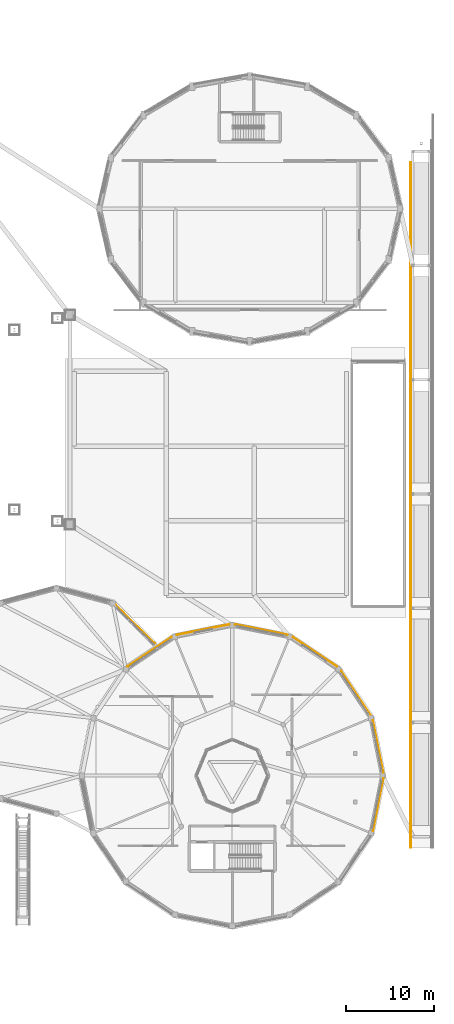
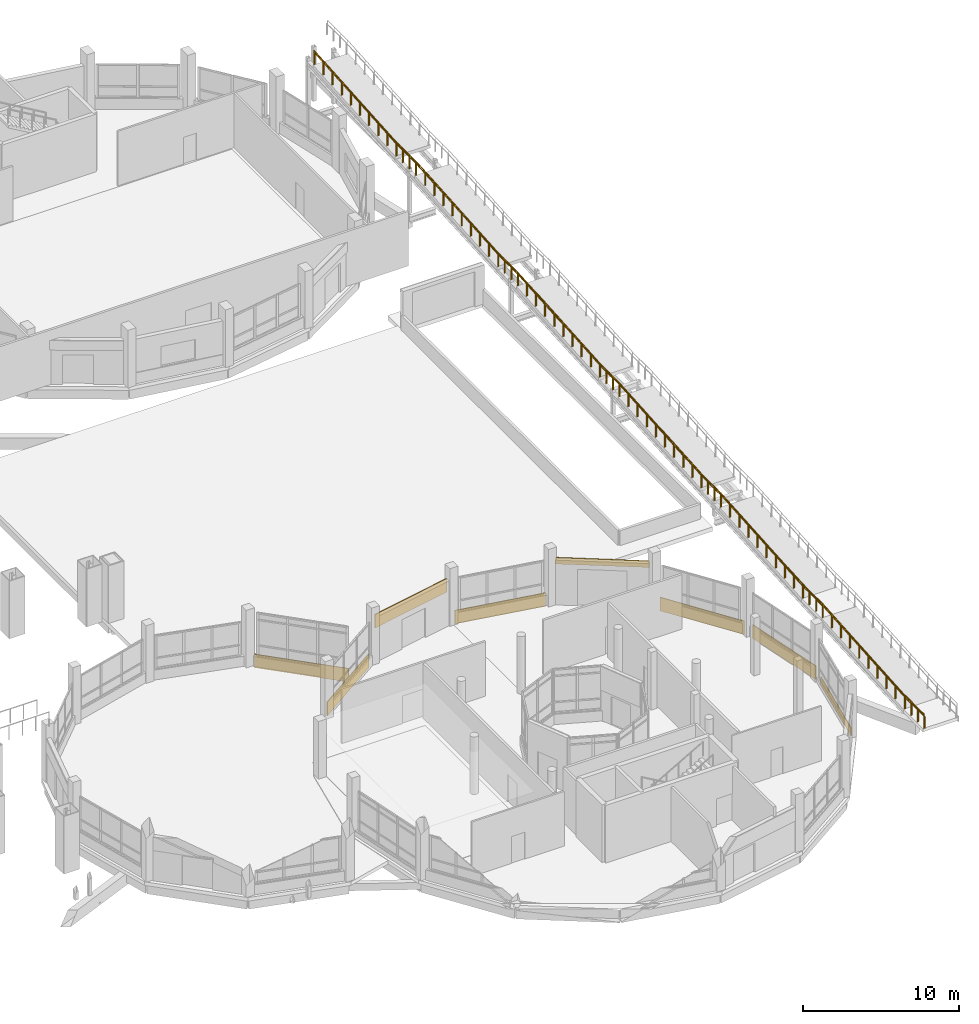
# One storey, part 127 of 129: 8 coverings, 2 railings.
"""IFC4 building model written with IfcOpenShell, lengths in metres."""

from ifc_helpers import new_model, si_unit, direction, frame, frame_2d, origin, origin_2d, place, context, subcontext, project, spatial, rectangle, circle, extrude, material, layer, layer_set, type_object, element, save


model = new_model("IFC4")

# Units and contexts
model_context = context("Model", 3, precision=1e-05, world=origin(), true_north=direction((0.0, 1.0)))
body_context = subcontext(model_context, "Body", "Model", "MODEL_VIEW")
ifc_project = project(units=[si_unit("LENGTHUNIT", "METRE"), si_unit("AREAUNIT", "SQUARE_METRE"), si_unit("VOLUMEUNIT", "CUBIC_METRE"), si_unit("PLANEANGLEUNIT", "RADIAN"), si_unit("MASSUNIT", "GRAM", prefix="KILO")], contexts=[model_context])

# Site, building, storey
site_placement = place(None, origin())
site = spatial("IfcSite", under=ifc_project, at=site_placement, CompositionType="ELEMENT")
building_placement = place(site_placement, origin())
building = spatial("IfcBuilding", under=site, at=building_placement, Name="Vespera Passage Community Centre", CompositionType="ELEMENT")
storey_placement = place(building_placement, origin())
storey = spatial("IfcBuildingStorey", under=building, at=storey_placement, Name="L00", CompositionType="ELEMENT", Elevation=0.0)

# Coverings
ifc_material_1 = material(Name="Precast concrete f'c 40 MPa", Category="concrete")
ifc_layer = layer(ifc_material_1, 0.06005859375)
ifc_layer_set = layer_set([ifc_layer], Name="Precast concrete f'c 40 MPa")
covering_type = type_object("IfcCoveringType", Name="COV-CLAD-60E", PredefinedType="CLADDING", material=ifc_layer_set)
covering_1_placement = place(storey_placement, frame((157.019775390625, 31.301513671875, -0.260009765625), z_axis=(0.0, 0.0, 1.0), x_axis=(0.195101780047, -0.98078300119, 0.0)))
element("IfcCovering", 1, at=covering_1_placement, inside=storey, type_object=covering_type, Name="V3 L00 White Spandrel Band 1", PredefinedType="CLADDING", context=body_context, shape_type="SweptSolid", body=[
    extrude(rectangle(XDim=6.1103515625, YDim=0.06005859375, at=frame_2d((3.05517578125, 0.0))), origin(), (0.0, 0.0, 1.0), 1.06005859375),
])
covering_2_placement = place(storey_placement, frame((153.41943359375, 36.90673828125, -0.260009765625), z_axis=(0.0, 0.0, 1.0), x_axis=(0.555573083966, -0.831467707354, 0.0)))
element("IfcCovering", 2, at=covering_2_placement, inside=storey, type_object=covering_type, Name="V3 L00 White Spandrel Band 2", PredefinedType="CLADDING", context=body_context, shape_type="SweptSolid", body=[
    extrude(rectangle(XDim=6.00048828125, YDim=0.06005859375, at=frame_2d((3.000244140625, 0.0))), origin(), (0.0, 0.0, 1.0), 1.06005859375),
])
covering_3_placement = place(storey_placement, frame((147.91748046875, 40.753173828125, 3.0), z_axis=(0.0, 0.0, 1.0), x_axis=(0.831467707354, -0.555573083966, 0.0)))
element("IfcCovering", 3, at=covering_3_placement, inside=storey, type_object=covering_type, Name="V3 Loading White Fascia", PredefinedType="CLADDING", context=body_context, shape_type="SweptSolid", body=[
    extrude(rectangle(XDim=6.00048828125, YDim=0.06005859375, at=frame_2d((3.000244140625, 0.0))), origin(), (0.0, 0.0, 1.0), 0.4951171875),
])
covering_4_placement = place(storey_placement, frame((141.30859375, 42.2119140625, -0.260009765625), z_axis=(0.0, 0.0, 1.0), x_axis=(0.98078300119, -0.195101780047, 0.0)))
element("IfcCovering", 4, at=covering_4_placement, inside=storey, type_object=covering_type, Name="V3 L00 White Spandrel Band 4", PredefinedType="CLADDING", context=body_context, shape_type="SweptSolid", body=[
    extrude(rectangle(XDim=6.1103515625, YDim=0.06005859375, at=frame_2d((3.05517578125, 0.0))), origin(), (0.0, 0.0, 1.0), 1.06005859375),
])
covering_5_placement = place(storey_placement, frame((134.698486328125, 41.019775390625, 2.449951171875), z_axis=(0.0, 0.0, 1.0), x_axis=(0.98078300119, 0.195101780047, 0.0)))
element("IfcCovering", 5, at=covering_5_placement, inside=storey, type_object=covering_type, Name="V3 L00 Exit White Band 5", PredefinedType="CLADDING", context=body_context, shape_type="SweptSolid", body=[
    extrude(rectangle(XDim=6.1103515625, YDim=0.06005859375, at=frame_2d((3.05517578125, 0.0))), origin(), (0.0, 0.0, 1.0), 1.045166015625),
])
covering_6_placement = place(storey_placement, frame((129.09326171875, 37.41943359375, -0.260009765625), z_axis=(0.0, 0.0, 1.0), x_axis=(0.831467707354, 0.555573083966, 0.0)))
element("IfcCovering", 6, at=covering_6_placement, inside=storey, type_object=covering_type, Name="V3 L00 White Spandrel Band 6", PredefinedType="CLADDING", context=body_context, shape_type="SweptSolid", body=[
    extrude(rectangle(XDim=6.00048828125, YDim=0.06005859375, at=frame_2d((3.000244140625, 0.0))), origin(), (0.0, 0.0, 1.0), 1.06005859375),
])
covering_7_placement = place(storey_placement, frame((158.2119140625, 24.69140625, -0.260009765625), z_axis=(0.0, 0.0, 1.0), x_axis=(-0.195101780047, -0.98078300119, 0.0)))
element("IfcCovering", 7, at=covering_7_placement, inside=storey, type_object=covering_type, Name="V3 L00 White Spandrel Band 16", PredefinedType="CLADDING", context=body_context, shape_type="SweptSolid", body=[
    extrude(rectangle(XDim=6.1103515625, YDim=0.06005859375, at=frame_2d((3.05517578125, 0.0))), origin(), (0.0, 0.0, 1.0), 0.610107421875),
])
covering_8_placement = place(storey_placement, frame((127.802490234375, 44.423095703125, -0.280029296875), z_axis=(0.0, 0.0, 1.0), x_axis=(0.707106781187, -0.707106781187, 0.0)))
element("IfcCovering", 8, at=covering_8_placement, inside=storey, type_object=covering_type, Name="V3A L00 Cafe White Spandrel Band 2", PredefinedType="CLADDING", context=body_context, shape_type="SweptSolid", body=[
    extrude(rectangle(XDim=6.2265625, YDim=0.06005859375, at=frame_2d((3.11328125, 0.0))), origin(), (0.0, 0.0, 1.0), 1.06005859375),
])

# Railings
ifc_material_2 = material(Name="Steel ASTM A500 Grade C", Category="steel")
railing_type_1 = type_object("IfcRailingType", Name="RL-EXT-1100E", PredefinedType="GUARDRAIL", material=ifc_material_2)
railing_1_placement = place(storey_placement, frame((161.280029296875, 16.800048828125, 0.0)))
element("IfcRailing", 9, at=railing_1_placement, inside=storey, type_object=railing_type_1, Name="Ramped Garden Bridge W Guard", PredefinedType="GUARDRAIL", context=body_context, shape_type="SweptSolid", body=[
    extrude(circle(Radius=0.02392578125, at=origin_2d()), frame((0.0, 0.0, 1.09619140625), z_axis=(0.0, 1.0, 0.0), x_axis=(-1.0, 0.0, 0.0)), (0.0, 0.0, 1.0), 2.5),
    extrude(circle(Radius=0.02392578125, at=origin_2d()), frame((0.0, 2.5, 1.09619140625), z_axis=(0.0, 0.997458699831, 0.071247049988), x_axis=(-1.0, 0.0, 0.0)), (0.0, 0.0, 1.0), 10.52685546875),
    extrude(circle(Radius=0.02392578125, at=origin_2d()), frame((0.0, 13.0, 1.84619140625), z_axis=(0.0, 1.0, 0.0), x_axis=(-1.0, 0.0, 0.0)), (0.0, 0.0, 1.0), 2.5),
    extrude(circle(Radius=0.02392578125, at=origin_2d()), frame((0.0, 15.5, 1.84619140625), z_axis=(0.0, 0.997458699831, 0.071247049988), x_axis=(-1.0, 0.0, 0.0)), (0.0, 0.0, 1.0), 10.52685546875),
    extrude(circle(Radius=0.02392578125, at=origin_2d()), frame((0.0, 26.0, 2.59619140625), z_axis=(0.0, 1.0, 0.0), x_axis=(-1.0, 0.0, 0.0)), (0.0, 0.0, 1.0), 2.5),
    extrude(circle(Radius=0.02392578125, at=origin_2d()), frame((0.0, 28.5, 2.59619140625), z_axis=(0.0, 0.997458699831, 0.071247049988), x_axis=(-1.0, 0.0, 0.0)), (0.0, 0.0, 1.0), 10.52685546875),
    extrude(circle(Radius=0.02392578125, at=origin_2d()), frame((0.0, 39.0, 3.34619140625), z_axis=(0.0, 1.0, 0.0), x_axis=(-1.0, 0.0, 0.0)), (0.0, 0.0, 1.0), 2.5),
    extrude(circle(Radius=0.02392578125, at=origin_2d()), frame((0.0, 41.5, 3.34619140625), z_axis=(0.0, 0.997458699831, 0.071247049988), x_axis=(-1.0, 0.0, 0.0)), (0.0, 0.0, 1.0), 10.52685546875),
    extrude(circle(Radius=0.02392578125, at=origin_2d()), frame((0.0, 52.0, 4.09619140625), z_axis=(0.0, 1.0, 0.0), x_axis=(-1.0, 0.0, 0.0)), (0.0, 0.0, 1.0), 2.5),
    extrude(circle(Radius=0.02392578125, at=origin_2d()), frame((0.0, 54.5, 4.09619140625), z_axis=(0.0, 0.997458699831, 0.071247049988), x_axis=(-1.0, 0.0, 0.0)), (0.0, 0.0, 1.0), 10.52685546875),
    extrude(circle(Radius=0.02392578125, at=origin_2d()), frame((0.0, 65.0, 4.84619140625), z_axis=(0.0, 1.0, 0.0), x_axis=(-1.0, 0.0, 0.0)), (0.0, 0.0, 1.0), 2.5),
    extrude(circle(Radius=0.02392578125, at=origin_2d()), frame((0.0, 67.5, 4.84619140625), z_axis=(0.0, 0.997458699831, 0.071247049988), x_axis=(-1.0, 0.0, 0.0)), (0.0, 0.0, 1.0), 10.52685546875),
    extrude(circle(Radius=0.02099609375, at=origin_2d()), origin(), (0.0, 0.0, 1.0), 1.072021484375),
    extrude(circle(Radius=0.02099609375, at=origin_2d()), frame((0.0, 0.833251953125, 0.0)), (0.0, 0.0, 1.0), 1.072021484375),
    extrude(circle(Radius=0.02099609375, at=origin_2d()), frame((0.0, 1.666748046875, 0.0)), (0.0, 0.0, 1.0), 1.072021484375),
    extrude(circle(Radius=0.02099609375, at=origin_2d()), frame((0.0, 2.5, 0.0)), (0.0, 0.0, 1.0), 1.072021484375),
    extrude(circle(Radius=0.02099609375, at=origin_2d()), frame((0.0, 3.666748046875, 0.083251953125)), (0.0, 0.0, 1.0), 1.072021484375),
    extrude(circle(Radius=0.02099609375, at=origin_2d()), frame((0.0, 4.833251953125, 0.166748046875)), (0.0, 0.0, 1.0), 1.072021484375),
    extrude(circle(Radius=0.02099609375, at=origin_2d()), frame((0.0, 6.0, 0.25)), (0.0, 0.0, 1.0), 1.072021484375),
    extrude(circle(Radius=0.02099609375, at=origin_2d()), frame((0.0, 7.166748046875, 0.333251953125)), (0.0, 0.0, 1.0), 1.072021484375),
    extrude(circle(Radius=0.02099609375, at=origin_2d()), frame((0.0, 8.333251953125, 0.416748046875)), (0.0, 0.0, 1.0), 1.072021484375),
    extrude(circle(Radius=0.02099609375, at=origin_2d()), frame((0.0, 9.5, 0.5)), (0.0, 0.0, 1.0), 1.072021484375),
    extrude(circle(Radius=0.02099609375, at=origin_2d()), frame((0.0, 10.666748046875, 0.583251953125)), (0.0, 0.0, 1.0), 1.072021484375),
    extrude(circle(Radius=0.02099609375, at=origin_2d()), frame((0.0, 11.833251953125, 0.666748046875)), (0.0, 0.0, 1.0), 1.072021484375),
    extrude(circle(Radius=0.02099609375, at=origin_2d()), frame((0.0, 13.0, 0.75)), (0.0, 0.0, 1.0), 1.072021484375),
    extrude(circle(Radius=0.02099609375, at=origin_2d()), frame((0.0, 13.833251953125, 0.75)), (0.0, 0.0, 1.0), 1.072021484375),
    extrude(circle(Radius=0.02099609375, at=origin_2d()), frame((0.0, 14.666748046875, 0.75)), (0.0, 0.0, 1.0), 1.072021484375),
    extrude(circle(Radius=0.02099609375, at=origin_2d()), frame((0.0, 15.5, 0.75)), (0.0, 0.0, 1.0), 1.072021484375),
    extrude(circle(Radius=0.02099609375, at=origin_2d()), frame((0.0, 16.666748046875, 0.833251953125)), (0.0, 0.0, 1.0), 1.072021484375),
    extrude(circle(Radius=0.02099609375, at=origin_2d()), frame((0.0, 17.833251953125, 0.916748046875)), (0.0, 0.0, 1.0), 1.072021484375),
    extrude(circle(Radius=0.02099609375, at=origin_2d()), frame((0.0, 19.0, 1.0)), (0.0, 0.0, 1.0), 1.072021484375),
    extrude(circle(Radius=0.02099609375, at=origin_2d()), frame((0.0, 20.166748046875, 1.083251953125)), (0.0, 0.0, 1.0), 1.072021484375),
    extrude(circle(Radius=0.02099609375, at=origin_2d()), frame((0.0, 21.333251953125, 1.166748046875)), (0.0, 0.0, 1.0), 1.072021484375),
    extrude(circle(Radius=0.02099609375, at=origin_2d()), frame((0.0, 22.5, 1.25)), (0.0, 0.0, 1.0), 1.072021484375),
    extrude(circle(Radius=0.02099609375, at=origin_2d()), frame((0.0, 23.666748046875, 1.333251953125)), (0.0, 0.0, 1.0), 1.072021484375),
    extrude(circle(Radius=0.02099609375, at=origin_2d()), frame((0.0, 24.833251953125, 1.416748046875)), (0.0, 0.0, 1.0), 1.072021484375),
    extrude(circle(Radius=0.02099609375, at=origin_2d()), frame((0.0, 26.0, 1.5)), (0.0, 0.0, 1.0), 1.072021484375),
    extrude(circle(Radius=0.02099609375, at=origin_2d()), frame((0.0, 26.833251953125, 1.5)), (0.0, 0.0, 1.0), 1.072021484375),
    extrude(circle(Radius=0.02099609375, at=origin_2d()), frame((0.0, 27.666748046875, 1.5)), (0.0, 0.0, 1.0), 1.072021484375),
    extrude(circle(Radius=0.02099609375, at=origin_2d()), frame((0.0, 28.5, 1.5)), (0.0, 0.0, 1.0), 1.072021484375),
    extrude(circle(Radius=0.02099609375, at=origin_2d()), frame((0.0, 29.666748046875, 1.583251953125)), (0.0, 0.0, 1.0), 1.072021484375),
    extrude(circle(Radius=0.02099609375, at=origin_2d()), frame((0.0, 30.833251953125, 1.666748046875)), (0.0, 0.0, 1.0), 1.072021484375),
    extrude(circle(Radius=0.02099609375, at=origin_2d()), frame((0.0, 32.0, 1.75)), (0.0, 0.0, 1.0), 1.072021484375),
    extrude(circle(Radius=0.02099609375, at=origin_2d()), frame((0.0, 33.166748046875, 1.833251953125)), (0.0, 0.0, 1.0), 1.072021484375),
    extrude(circle(Radius=0.02099609375, at=origin_2d()), frame((0.0, 34.333251953125, 1.916748046875)), (0.0, 0.0, 1.0), 1.072021484375),
    extrude(circle(Radius=0.02099609375, at=origin_2d()), frame((0.0, 35.5, 2.0)), (0.0, 0.0, 1.0), 1.072021484375),
    extrude(circle(Radius=0.02099609375, at=origin_2d()), frame((0.0, 36.666748046875, 2.083251953125)), (0.0, 0.0, 1.0), 1.072021484375),
    extrude(circle(Radius=0.02099609375, at=origin_2d()), frame((0.0, 37.833251953125, 2.166748046875)), (0.0, 0.0, 1.0), 1.072021484375),
    extrude(circle(Radius=0.02099609375, at=origin_2d()), frame((0.0, 39.0, 2.25)), (0.0, 0.0, 1.0), 1.072021484375),
    extrude(circle(Radius=0.02099609375, at=origin_2d()), frame((0.0, 39.833251953125, 2.25)), (0.0, 0.0, 1.0), 1.072021484375),
    extrude(circle(Radius=0.02099609375, at=origin_2d()), frame((0.0, 40.666748046875, 2.25)), (0.0, 0.0, 1.0), 1.072021484375),
    extrude(circle(Radius=0.02099609375, at=origin_2d()), frame((0.0, 41.5, 2.25)), (0.0, 0.0, 1.0), 1.072021484375),
    extrude(circle(Radius=0.02099609375, at=origin_2d()), frame((0.0, 42.666748046875, 2.333251953125)), (0.0, 0.0, 1.0), 1.072021484375),
    extrude(circle(Radius=0.02099609375, at=origin_2d()), frame((0.0, 43.833251953125, 2.416748046875)), (0.0, 0.0, 1.0), 1.072021484375),
    extrude(circle(Radius=0.02099609375, at=origin_2d()), frame((0.0, 45.0, 2.5)), (0.0, 0.0, 1.0), 1.072021484375),
    extrude(circle(Radius=0.02099609375, at=origin_2d()), frame((0.0, 46.166748046875, 2.583251953125)), (0.0, 0.0, 1.0), 1.072021484375),
    extrude(circle(Radius=0.02099609375, at=origin_2d()), frame((0.0, 47.333251953125, 2.666748046875)), (0.0, 0.0, 1.0), 1.072021484375),
    extrude(circle(Radius=0.02099609375, at=origin_2d()), frame((0.0, 48.5, 2.75)), (0.0, 0.0, 1.0), 1.072021484375),
    extrude(circle(Radius=0.02099609375, at=origin_2d()), frame((0.0, 49.666748046875, 2.833251953125)), (0.0, 0.0, 1.0), 1.072021484375),
    extrude(circle(Radius=0.02099609375, at=origin_2d()), frame((0.0, 50.833251953125, 2.916748046875)), (0.0, 0.0, 1.0), 1.072021484375),
    extrude(circle(Radius=0.02099609375, at=origin_2d()), frame((0.0, 52.0, 3.0)), (0.0, 0.0, 1.0), 1.072021484375),
    extrude(circle(Radius=0.02099609375, at=origin_2d()), frame((0.0, 52.833251953125, 3.0)), (0.0, 0.0, 1.0), 1.072021484375),
    extrude(circle(Radius=0.02099609375, at=origin_2d()), frame((0.0, 53.666748046875, 3.0)), (0.0, 0.0, 1.0), 1.072021484375),
    extrude(circle(Radius=0.02099609375, at=origin_2d()), frame((0.0, 54.5, 3.0)), (0.0, 0.0, 1.0), 1.072021484375),
    extrude(circle(Radius=0.02099609375, at=origin_2d()), frame((0.0, 55.666748046875, 3.083251953125)), (0.0, 0.0, 1.0), 1.072021484375),
    extrude(circle(Radius=0.02099609375, at=origin_2d()), frame((0.0, 56.833251953125, 3.166748046875)), (0.0, 0.0, 1.0), 1.072021484375),
    extrude(circle(Radius=0.02099609375, at=origin_2d()), frame((0.0, 58.0, 3.25)), (0.0, 0.0, 1.0), 1.072021484375),
    extrude(circle(Radius=0.02099609375, at=origin_2d()), frame((0.0, 59.166748046875, 3.333251953125)), (0.0, 0.0, 1.0), 1.072021484375),
    extrude(circle(Radius=0.02099609375, at=origin_2d()), frame((0.0, 60.333251953125, 3.416748046875)), (0.0, 0.0, 1.0), 1.072021484375),
    extrude(circle(Radius=0.02099609375, at=origin_2d()), frame((0.0, 61.5, 3.5)), (0.0, 0.0, 1.0), 1.072021484375),
    extrude(circle(Radius=0.02099609375, at=origin_2d()), frame((0.0, 62.666748046875, 3.583251953125)), (0.0, 0.0, 1.0), 1.072021484375),
    extrude(circle(Radius=0.02099609375, at=origin_2d()), frame((0.0, 63.833251953125, 3.666748046875)), (0.0, 0.0, 1.0), 1.072021484375),
    extrude(circle(Radius=0.02099609375, at=origin_2d()), frame((0.0, 65.0, 3.75)), (0.0, 0.0, 1.0), 1.072021484375),
    extrude(circle(Radius=0.02099609375, at=origin_2d()), frame((0.0, 65.833251953125, 3.75)), (0.0, 0.0, 1.0), 1.072021484375),
    extrude(circle(Radius=0.02099609375, at=origin_2d()), frame((0.0, 66.666748046875, 3.75)), (0.0, 0.0, 1.0), 1.072021484375),
    extrude(circle(Radius=0.02099609375, at=origin_2d()), frame((0.0, 67.5, 3.75)), (0.0, 0.0, 1.0), 1.072021484375),
    extrude(circle(Radius=0.02099609375, at=origin_2d()), frame((0.0, 68.666748046875, 3.833251953125)), (0.0, 0.0, 1.0), 1.072021484375),
    extrude(circle(Radius=0.02099609375, at=origin_2d()), frame((0.0, 69.833251953125, 3.916748046875)), (0.0, 0.0, 1.0), 1.072021484375),
    extrude(circle(Radius=0.02099609375, at=origin_2d()), frame((0.0, 71.0, 4.0)), (0.0, 0.0, 1.0), 1.072021484375),
    extrude(circle(Radius=0.02099609375, at=origin_2d()), frame((0.0, 72.166748046875, 4.083251953125)), (0.0, 0.0, 1.0), 1.072021484375),
    extrude(circle(Radius=0.02099609375, at=origin_2d()), frame((0.0, 73.333251953125, 4.166748046875)), (0.0, 0.0, 1.0), 1.072021484375),
    extrude(circle(Radius=0.02099609375, at=origin_2d()), frame((0.0, 74.5, 4.25)), (0.0, 0.0, 1.0), 1.072021484375),
    extrude(circle(Radius=0.02099609375, at=origin_2d()), frame((0.0, 75.666748046875, 4.333251953125)), (0.0, 0.0, 1.0), 1.072021484375),
    extrude(circle(Radius=0.02099609375, at=origin_2d()), frame((0.0, 76.833251953125, 4.416748046875)), (0.0, 0.0, 1.0), 1.072021484375),
    extrude(circle(Radius=0.02099609375, at=origin_2d()), frame((0.0, 78.0, 4.5)), (0.0, 0.0, 1.0), 1.072021484375),
])
ifc_material_3 = material(Name="Steel ASTM A500 Grade C", Category="steel")
railing_type_2 = type_object("IfcRailingType", Name="RL-HR-900E", PredefinedType="HANDRAIL", material=ifc_material_3)
railing_2_placement = place(storey_placement, frame((161.340087890625, 16.800048828125, 0.0)))
element("IfcRailing", 10, at=railing_2_placement, inside=storey, type_object=railing_type_2, Name="Ramped Garden Bridge W Handrail", PredefinedType="HANDRAIL", context=body_context, shape_type="SweptSolid", body=[
    extrude(circle(Radius=0.02392578125, at=origin_2d()), frame((0.0, 0.0, 0.8759765625), z_axis=(0.0, 1.0, 0.0), x_axis=(-1.0, 0.0, 0.0)), (0.0, 0.0, 1.0), 2.5),
    extrude(circle(Radius=0.02392578125, at=origin_2d()), frame((0.0, 2.5, 0.8759765625), z_axis=(0.0, 0.997458699831, 0.071247049988), x_axis=(-1.0, 0.0, 0.0)), (0.0, 0.0, 1.0), 10.52685546875),
    extrude(circle(Radius=0.02392578125, at=origin_2d()), frame((0.0, 13.0, 1.6259765625), z_axis=(0.0, 1.0, 0.0), x_axis=(-1.0, 0.0, 0.0)), (0.0, 0.0, 1.0), 2.5),
    extrude(circle(Radius=0.02392578125, at=origin_2d()), frame((0.0, 15.5, 1.6259765625), z_axis=(0.0, 0.997458699831, 0.071247049988), x_axis=(-1.0, 0.0, 0.0)), (0.0, 0.0, 1.0), 10.52685546875),
    extrude(circle(Radius=0.02392578125, at=origin_2d()), frame((0.0, 26.0, 2.3759765625), z_axis=(0.0, 1.0, 0.0), x_axis=(-1.0, 0.0, 0.0)), (0.0, 0.0, 1.0), 2.5),
    extrude(circle(Radius=0.02392578125, at=origin_2d()), frame((0.0, 28.5, 2.3759765625), z_axis=(0.0, 0.997458699831, 0.071247049988), x_axis=(-1.0, 0.0, 0.0)), (0.0, 0.0, 1.0), 10.52685546875),
    extrude(circle(Radius=0.02392578125, at=origin_2d()), frame((0.0, 39.0, 3.1259765625), z_axis=(0.0, 1.0, 0.0), x_axis=(-1.0, 0.0, 0.0)), (0.0, 0.0, 1.0), 2.5),
    extrude(circle(Radius=0.02392578125, at=origin_2d()), frame((0.0, 41.5, 3.1259765625), z_axis=(0.0, 0.997458699831, 0.071247049988), x_axis=(-1.0, 0.0, 0.0)), (0.0, 0.0, 1.0), 10.52685546875),
    extrude(circle(Radius=0.02392578125, at=origin_2d()), frame((0.0, 52.0, 3.8759765625), z_axis=(0.0, 1.0, 0.0), x_axis=(-1.0, 0.0, 0.0)), (0.0, 0.0, 1.0), 2.5),
    extrude(circle(Radius=0.02392578125, at=origin_2d()), frame((0.0, 54.5, 3.8759765625), z_axis=(0.0, 0.997458699831, 0.071247049988), x_axis=(-1.0, 0.0, 0.0)), (0.0, 0.0, 1.0), 10.52685546875),
    extrude(circle(Radius=0.02392578125, at=origin_2d()), frame((0.0, 65.0, 4.6259765625), z_axis=(0.0, 1.0, 0.0), x_axis=(-1.0, 0.0, 0.0)), (0.0, 0.0, 1.0), 2.5),
    extrude(circle(Radius=0.02392578125, at=origin_2d()), frame((0.0, 67.5, 4.6259765625), z_axis=(0.0, 0.997458699831, 0.071247049988), x_axis=(-1.0, 0.0, 0.0)), (0.0, 0.0, 1.0), 10.52685546875),
    extrude(circle(Radius=0.02099609375, at=origin_2d()), origin(), (0.0, 0.0, 1.0), 0.851806640625),
    extrude(circle(Radius=0.02099609375, at=origin_2d()), frame((0.0, 0.833251953125, 0.0)), (0.0, 0.0, 1.0), 0.851806640625),
    extrude(circle(Radius=0.02099609375, at=origin_2d()), frame((0.0, 1.666748046875, 0.0)), (0.0, 0.0, 1.0), 0.851806640625),
    extrude(circle(Radius=0.02099609375, at=origin_2d()), frame((0.0, 2.5, 0.0)), (0.0, 0.0, 1.0), 0.851806640625),
    extrude(circle(Radius=0.02099609375, at=origin_2d()), frame((0.0, 3.666748046875, 0.083251953125)), (0.0, 0.0, 1.0), 0.851806640625),
    extrude(circle(Radius=0.02099609375, at=origin_2d()), frame((0.0, 4.833251953125, 0.166748046875)), (0.0, 0.0, 1.0), 0.851806640625),
    extrude(circle(Radius=0.02099609375, at=origin_2d()), frame((0.0, 6.0, 0.25)), (0.0, 0.0, 1.0), 0.851806640625),
    extrude(circle(Radius=0.02099609375, at=origin_2d()), frame((0.0, 7.166748046875, 0.333251953125)), (0.0, 0.0, 1.0), 0.851806640625),
    extrude(circle(Radius=0.02099609375, at=origin_2d()), frame((0.0, 8.333251953125, 0.416748046875)), (0.0, 0.0, 1.0), 0.851806640625),
    extrude(circle(Radius=0.02099609375, at=origin_2d()), frame((0.0, 9.5, 0.5)), (0.0, 0.0, 1.0), 0.851806640625),
    extrude(circle(Radius=0.02099609375, at=origin_2d()), frame((0.0, 10.666748046875, 0.583251953125)), (0.0, 0.0, 1.0), 0.851806640625),
    extrude(circle(Radius=0.02099609375, at=origin_2d()), frame((0.0, 11.833251953125, 0.666748046875)), (0.0, 0.0, 1.0), 0.851806640625),
    extrude(circle(Radius=0.02099609375, at=origin_2d()), frame((0.0, 13.0, 0.75)), (0.0, 0.0, 1.0), 0.851806640625),
    extrude(circle(Radius=0.02099609375, at=origin_2d()), frame((0.0, 13.833251953125, 0.75)), (0.0, 0.0, 1.0), 0.851806640625),
    extrude(circle(Radius=0.02099609375, at=origin_2d()), frame((0.0, 14.666748046875, 0.75)), (0.0, 0.0, 1.0), 0.851806640625),
    extrude(circle(Radius=0.02099609375, at=origin_2d()), frame((0.0, 15.5, 0.75)), (0.0, 0.0, 1.0), 0.851806640625),
    extrude(circle(Radius=0.02099609375, at=origin_2d()), frame((0.0, 16.666748046875, 0.833251953125)), (0.0, 0.0, 1.0), 0.851806640625),
    extrude(circle(Radius=0.02099609375, at=origin_2d()), frame((0.0, 17.833251953125, 0.916748046875)), (0.0, 0.0, 1.0), 0.851806640625),
    extrude(circle(Radius=0.02099609375, at=origin_2d()), frame((0.0, 19.0, 1.0)), (0.0, 0.0, 1.0), 0.851806640625),
    extrude(circle(Radius=0.02099609375, at=origin_2d()), frame((0.0, 20.166748046875, 1.083251953125)), (0.0, 0.0, 1.0), 0.851806640625),
    extrude(circle(Radius=0.02099609375, at=origin_2d()), frame((0.0, 21.333251953125, 1.166748046875)), (0.0, 0.0, 1.0), 0.851806640625),
    extrude(circle(Radius=0.02099609375, at=origin_2d()), frame((0.0, 22.5, 1.25)), (0.0, 0.0, 1.0), 0.851806640625),
    extrude(circle(Radius=0.02099609375, at=origin_2d()), frame((0.0, 23.666748046875, 1.333251953125)), (0.0, 0.0, 1.0), 0.851806640625),
    extrude(circle(Radius=0.02099609375, at=origin_2d()), frame((0.0, 24.833251953125, 1.416748046875)), (0.0, 0.0, 1.0), 0.851806640625),
    extrude(circle(Radius=0.02099609375, at=origin_2d()), frame((0.0, 26.0, 1.5)), (0.0, 0.0, 1.0), 0.851806640625),
    extrude(circle(Radius=0.02099609375, at=origin_2d()), frame((0.0, 26.833251953125, 1.5)), (0.0, 0.0, 1.0), 0.851806640625),
    extrude(circle(Radius=0.02099609375, at=origin_2d()), frame((0.0, 27.666748046875, 1.5)), (0.0, 0.0, 1.0), 0.851806640625),
    extrude(circle(Radius=0.02099609375, at=origin_2d()), frame((0.0, 28.5, 1.5)), (0.0, 0.0, 1.0), 0.851806640625),
    extrude(circle(Radius=0.02099609375, at=origin_2d()), frame((0.0, 29.666748046875, 1.583251953125)), (0.0, 0.0, 1.0), 0.851806640625),
    extrude(circle(Radius=0.02099609375, at=origin_2d()), frame((0.0, 30.833251953125, 1.666748046875)), (0.0, 0.0, 1.0), 0.851806640625),
    extrude(circle(Radius=0.02099609375, at=origin_2d()), frame((0.0, 32.0, 1.75)), (0.0, 0.0, 1.0), 0.851806640625),
    extrude(circle(Radius=0.02099609375, at=origin_2d()), frame((0.0, 33.166748046875, 1.833251953125)), (0.0, 0.0, 1.0), 0.851806640625),
    extrude(circle(Radius=0.02099609375, at=origin_2d()), frame((0.0, 34.333251953125, 1.916748046875)), (0.0, 0.0, 1.0), 0.851806640625),
    extrude(circle(Radius=0.02099609375, at=origin_2d()), frame((0.0, 35.5, 2.0)), (0.0, 0.0, 1.0), 0.851806640625),
    extrude(circle(Radius=0.02099609375, at=origin_2d()), frame((0.0, 36.666748046875, 2.083251953125)), (0.0, 0.0, 1.0), 0.851806640625),
    extrude(circle(Radius=0.02099609375, at=origin_2d()), frame((0.0, 37.833251953125, 2.166748046875)), (0.0, 0.0, 1.0), 0.851806640625),
    extrude(circle(Radius=0.02099609375, at=origin_2d()), frame((0.0, 39.0, 2.25)), (0.0, 0.0, 1.0), 0.851806640625),
    extrude(circle(Radius=0.02099609375, at=origin_2d()), frame((0.0, 39.833251953125, 2.25)), (0.0, 0.0, 1.0), 0.851806640625),
    extrude(circle(Radius=0.02099609375, at=origin_2d()), frame((0.0, 40.666748046875, 2.25)), (0.0, 0.0, 1.0), 0.851806640625),
    extrude(circle(Radius=0.02099609375, at=origin_2d()), frame((0.0, 41.5, 2.25)), (0.0, 0.0, 1.0), 0.851806640625),
    extrude(circle(Radius=0.02099609375, at=origin_2d()), frame((0.0, 42.666748046875, 2.333251953125)), (0.0, 0.0, 1.0), 0.851806640625),
    extrude(circle(Radius=0.02099609375, at=origin_2d()), frame((0.0, 43.833251953125, 2.416748046875)), (0.0, 0.0, 1.0), 0.851806640625),
    extrude(circle(Radius=0.02099609375, at=origin_2d()), frame((0.0, 45.0, 2.5)), (0.0, 0.0, 1.0), 0.851806640625),
    extrude(circle(Radius=0.02099609375, at=origin_2d()), frame((0.0, 46.166748046875, 2.583251953125)), (0.0, 0.0, 1.0), 0.851806640625),
    extrude(circle(Radius=0.02099609375, at=origin_2d()), frame((0.0, 47.333251953125, 2.666748046875)), (0.0, 0.0, 1.0), 0.851806640625),
    extrude(circle(Radius=0.02099609375, at=origin_2d()), frame((0.0, 48.5, 2.75)), (0.0, 0.0, 1.0), 0.851806640625),
    extrude(circle(Radius=0.02099609375, at=origin_2d()), frame((0.0, 49.666748046875, 2.833251953125)), (0.0, 0.0, 1.0), 0.851806640625),
    extrude(circle(Radius=0.02099609375, at=origin_2d()), frame((0.0, 50.833251953125, 2.916748046875)), (0.0, 0.0, 1.0), 0.851806640625),
    extrude(circle(Radius=0.02099609375, at=origin_2d()), frame((0.0, 52.0, 3.0)), (0.0, 0.0, 1.0), 0.851806640625),
    extrude(circle(Radius=0.02099609375, at=origin_2d()), frame((0.0, 52.833251953125, 3.0)), (0.0, 0.0, 1.0), 0.851806640625),
    extrude(circle(Radius=0.02099609375, at=origin_2d()), frame((0.0, 53.666748046875, 3.0)), (0.0, 0.0, 1.0), 0.851806640625),
    extrude(circle(Radius=0.02099609375, at=origin_2d()), frame((0.0, 54.5, 3.0)), (0.0, 0.0, 1.0), 0.851806640625),
    extrude(circle(Radius=0.02099609375, at=origin_2d()), frame((0.0, 55.666748046875, 3.083251953125)), (0.0, 0.0, 1.0), 0.851806640625),
    extrude(circle(Radius=0.02099609375, at=origin_2d()), frame((0.0, 56.833251953125, 3.166748046875)), (0.0, 0.0, 1.0), 0.851806640625),
    extrude(circle(Radius=0.02099609375, at=origin_2d()), frame((0.0, 58.0, 3.25)), (0.0, 0.0, 1.0), 0.851806640625),
    extrude(circle(Radius=0.02099609375, at=origin_2d()), frame((0.0, 59.166748046875, 3.333251953125)), (0.0, 0.0, 1.0), 0.851806640625),
    extrude(circle(Radius=0.02099609375, at=origin_2d()), frame((0.0, 60.333251953125, 3.416748046875)), (0.0, 0.0, 1.0), 0.851806640625),
    extrude(circle(Radius=0.02099609375, at=origin_2d()), frame((0.0, 61.5, 3.5)), (0.0, 0.0, 1.0), 0.851806640625),
    extrude(circle(Radius=0.02099609375, at=origin_2d()), frame((0.0, 62.666748046875, 3.583251953125)), (0.0, 0.0, 1.0), 0.851806640625),
    extrude(circle(Radius=0.02099609375, at=origin_2d()), frame((0.0, 63.833251953125, 3.666748046875)), (0.0, 0.0, 1.0), 0.851806640625),
    extrude(circle(Radius=0.02099609375, at=origin_2d()), frame((0.0, 65.0, 3.75)), (0.0, 0.0, 1.0), 0.851806640625),
    extrude(circle(Radius=0.02099609375, at=origin_2d()), frame((0.0, 65.833251953125, 3.75)), (0.0, 0.0, 1.0), 0.851806640625),
    extrude(circle(Radius=0.02099609375, at=origin_2d()), frame((0.0, 66.666748046875, 3.75)), (0.0, 0.0, 1.0), 0.851806640625),
    extrude(circle(Radius=0.02099609375, at=origin_2d()), frame((0.0, 67.5, 3.75)), (0.0, 0.0, 1.0), 0.851806640625),
    extrude(circle(Radius=0.02099609375, at=origin_2d()), frame((0.0, 68.666748046875, 3.833251953125)), (0.0, 0.0, 1.0), 0.851806640625),
    extrude(circle(Radius=0.02099609375, at=origin_2d()), frame((0.0, 69.833251953125, 3.916748046875)), (0.0, 0.0, 1.0), 0.851806640625),
    extrude(circle(Radius=0.02099609375, at=origin_2d()), frame((0.0, 71.0, 4.0)), (0.0, 0.0, 1.0), 0.851806640625),
    extrude(circle(Radius=0.02099609375, at=origin_2d()), frame((0.0, 72.166748046875, 4.083251953125)), (0.0, 0.0, 1.0), 0.851806640625),
    extrude(circle(Radius=0.02099609375, at=origin_2d()), frame((0.0, 73.333251953125, 4.166748046875)), (0.0, 0.0, 1.0), 0.851806640625),
    extrude(circle(Radius=0.02099609375, at=origin_2d()), frame((0.0, 74.5, 4.25)), (0.0, 0.0, 1.0), 0.851806640625),
    extrude(circle(Radius=0.02099609375, at=origin_2d()), frame((0.0, 75.666748046875, 4.333251953125)), (0.0, 0.0, 1.0), 0.851806640625),
    extrude(circle(Radius=0.02099609375, at=origin_2d()), frame((0.0, 76.833251953125, 4.416748046875)), (0.0, 0.0, 1.0), 0.851806640625),
    extrude(circle(Radius=0.02099609375, at=origin_2d()), frame((0.0, 78.0, 4.5)), (0.0, 0.0, 1.0), 0.851806640625),
])

save(model, "model.ifc")
